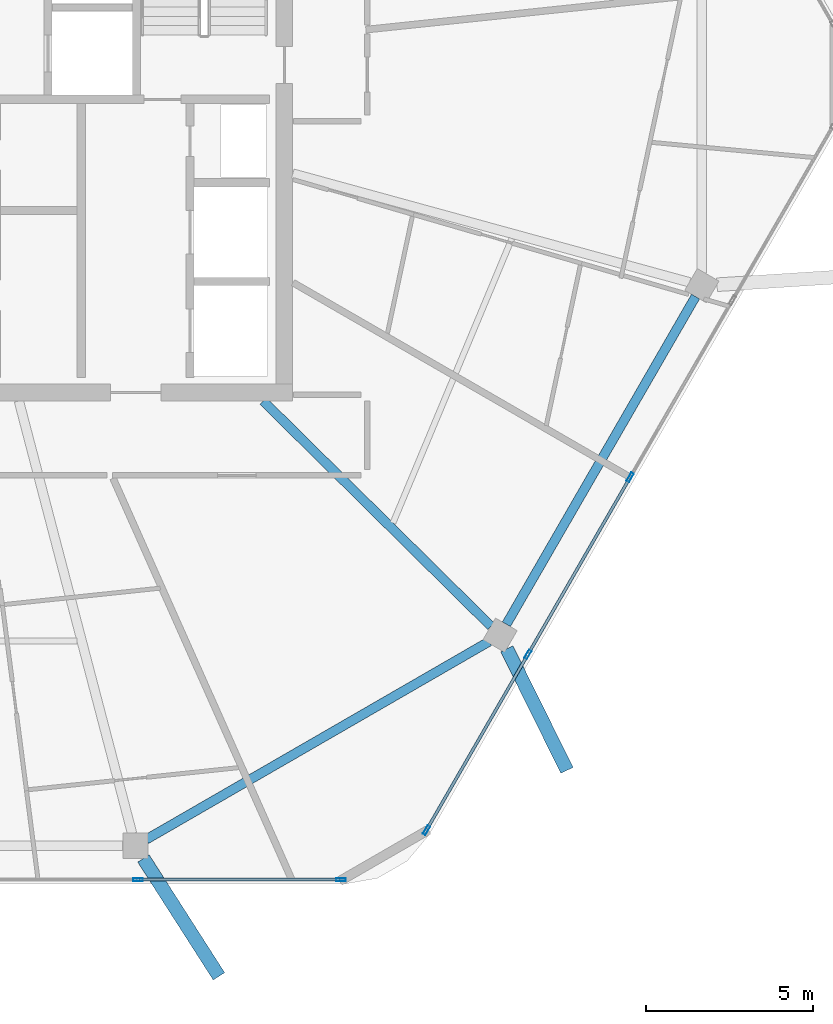
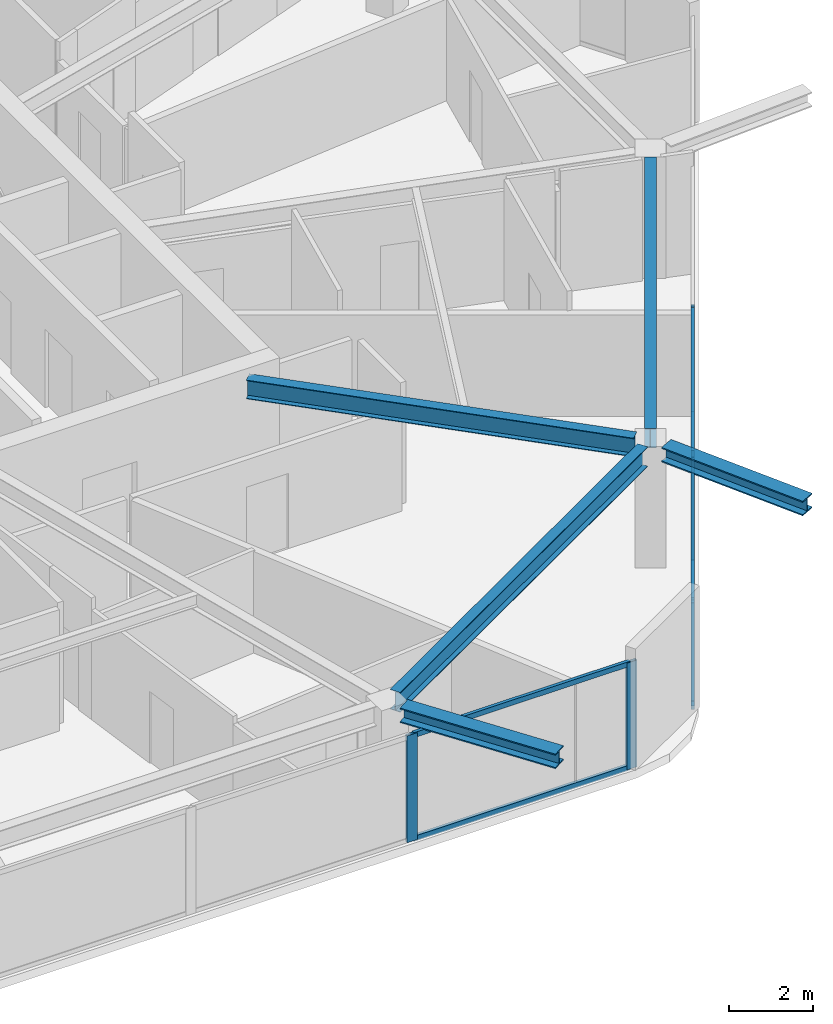
# One storey, part 5 of 18: 11 members, 5 beams, 2 elements without a shape of their own.
"""IFC4 building model written with IfcOpenShell, lengths in metres."""

from ifc_helpers import new_model, si_unit, direction, frame, origin, origin_2d, place, context, subcontext, project, spatial, hollow_rectangle, i_section, extrude, material, material_profile, profile_set, type_object, element, aggregate, save


model = new_model("IFC4")

# Units and contexts
model_context = context("Model", 3, precision=1e-05, world=origin(), true_north=direction((0.0, 1.0)))
body_context = subcontext(model_context, "Body", "Model", "MODEL_VIEW")
ifc_project = project(units=[si_unit("LENGTHUNIT", "METRE"), si_unit("AREAUNIT", "SQUARE_METRE"), si_unit("VOLUMEUNIT", "CUBIC_METRE"), si_unit("PLANEANGLEUNIT", "RADIAN"), si_unit("MASSUNIT", "GRAM", prefix="KILO")], contexts=[model_context])

# Site, building, storey
site_placement = place(None, origin())
site = spatial("IfcSite", under=ifc_project, at=site_placement, CompositionType="ELEMENT")
building_placement = place(site_placement, origin())
building = spatial("IfcBuilding", under=site, at=building_placement, Name="Zuhravey Tower", CompositionType="ELEMENT")
storey_placement = place(building_placement, frame((0.0, 0.0, 342.39990234375)))
storey = spatial("IfcBuildingStorey", under=building, at=storey_placement, Name="L87", CompositionType="ELEMENT", Elevation=342.39990234375)

# Curtain wall, members
ifc_material_1 = material(Name="Thermally broken anodised aluminium", Category="aluminium")
curtain_wall_type = type_object("IfcCurtainWallType", Name="Zone 3-4 High-Rise Curtain Wall CW4", PredefinedType="NOTDEFINED", material=ifc_material_1)
curtain_wall_1_placement = place(storey_placement, origin())
curtain_wall_1 = element("IfcCurtainWall", 1, at=curtain_wall_1_placement, inside=storey, type_object=curtain_wall_type, Name="L87 CW4 CW-L87-F6-1", PredefinedType="NOTDEFINED")
ifc_material_2 = material(Name="Anodised aluminium", Category="aluminium")
ifc_material_profile_1 = material_profile(ifc_material_2, hollow_rectangle(XDim=0.090087890625, YDim=0.284912109375, WallThickness=0.0048828125, at=origin_2d()), Name="ALU-RHS-90x285x5")
ifc_profile_set_1 = profile_set([ifc_material_profile_1], Name="Anodised aluminium")
member_type_1 = type_object("IfcMemberType", Name="Curtain-Wall Mullion 90x180", PredefinedType="MULLION", material=ifc_profile_set_1)
member_1_placement = place(storey_placement, frame((56.8486328125, 19.962890625, 0.0), z_axis=(0.0, 0.0, 1.0), x_axis=(0.866025511541, -0.49999981336, 0.0)))
member_1 = element("IfcMember", 2, at=member_1_placement, type_object=member_type_1, Name="CW4 mullion 3", PredefinedType="MULLION", context=body_context, shape_type="SweptSolid", body=[
    extrude(hollow_rectangle(XDim=0.090087890625, YDim=0.284912109375, WallThickness=0.0048828125, at=origin_2d()), origin(), (0.0, 0.0, 1.0), 3.1220703125),
])
member_2_placement = place(storey_placement, frame((53.788818359375, 14.6630859375, 0.0), z_axis=(0.0, 0.0, 1.0), x_axis=(0.866025511541, -0.49999981336, 0.0)))
member_2 = element("IfcMember", 3, at=member_2_placement, type_object=member_type_1, Name="CW4 mullion 4", PredefinedType="MULLION", context=body_context, shape_type="SweptSolid", body=[
    extrude(hollow_rectangle(XDim=0.090087890625, YDim=0.284912109375, WallThickness=0.0048828125, at=origin_2d()), origin(), (0.0, 0.0, 1.0), 3.1220703125),
])
member_3_placement = place(storey_placement, frame((50.751708984375, 9.40234375, 0.0), z_axis=(0.0, 0.0, 1.0), x_axis=(0.866025511541, -0.49999981336, 0.0)))
member_3 = element("IfcMember", 4, at=member_3_placement, type_object=member_type_1, Name="CW4 mullion 5", PredefinedType="MULLION", context=body_context, shape_type="SweptSolid", body=[
    extrude(hollow_rectangle(XDim=0.090087890625, YDim=0.284912109375, WallThickness=0.0048828125, at=origin_2d()), origin(), (0.0, 0.0, 1.0), 3.1220703125),
])

curtain_wall_2_placement = place(storey_placement, origin())
curtain_wall_2 = element("IfcCurtainWall", 5, at=curtain_wall_2_placement, inside=storey, type_object=curtain_wall_type, Name="L87 CW4 CW-L87-F5-1", PredefinedType="NOTDEFINED")
member_4_placement = place(storey_placement, frame((48.1943359375, 7.92578125, 0.0), z_axis=(0.0, 0.0, 1.0), x_axis=(0.0, -1.0, 0.0)))
member_4 = element("IfcMember", 6, at=member_4_placement, type_object=member_type_1, Name="CW4 mullion 1", PredefinedType="MULLION", context=body_context, shape_type="SweptSolid", body=[
    extrude(hollow_rectangle(XDim=0.090087890625, YDim=0.284912109375, WallThickness=0.0048828125, at=origin_2d()), origin(), (0.0, 0.0, 1.0), 3.1220703125),
])
member_5_placement = place(storey_placement, frame((42.11962890625, 7.92578125, 0.0), z_axis=(0.0, 0.0, 1.0), x_axis=(0.0, -1.0, 0.0)))
member_5 = element("IfcMember", 7, at=member_5_placement, type_object=member_type_1, Name="CW4 mullion 2", PredefinedType="MULLION", context=body_context, shape_type="SweptSolid", body=[
    extrude(hollow_rectangle(XDim=0.090087890625, YDim=0.284912109375, WallThickness=0.0048828125, at=origin_2d()), origin(), (0.0, 0.0, 1.0), 3.1220703125),
])

# Member
ifc_material_profile_2 = material_profile(ifc_material_2, hollow_rectangle(XDim=0.090087890625, YDim=0.14990234375, WallThickness=0.0048828125, at=origin_2d()), Name="ALU-RHS-90x150x5")
ifc_profile_set_2 = profile_set([ifc_material_profile_2], Name="Anodised aluminium")
member_type_2 = type_object("IfcMemberType", Name="Curtain-Wall Transom 90x150", PredefinedType="USERDEFINED", material=ifc_profile_set_2)
member_6_placement = place(storey_placement, frame((56.826171875, 19.924072265625, 0.045166015625), z_axis=(-0.499971305196, -0.866041970103, 0.0), x_axis=(0.866041970103, -0.499971305196, 0.0)))
member_6 = element("IfcMember", 8, at=member_6_placement, type_object=member_type_2, Name="CW4 transom 3.1", ObjectType="TRANSOM", PredefinedType="USERDEFINED", context=body_context, shape_type="SweptSolid", body=[
    extrude(hollow_rectangle(XDim=0.090087890625, YDim=0.14990234375, WallThickness=0.0048828125, at=origin_2d()), origin(), (0.0, 0.0, 1.0), 6.029541015625),
])

member_7_placement = place(storey_placement, frame((56.826171875, 19.924072265625, 3.0771484375), z_axis=(-0.499971305196, -0.866041970103, 0.0), x_axis=(0.866041970103, -0.499971305196, 0.0)))
member_7 = element("IfcMember", 9, at=member_7_placement, type_object=member_type_2, Name="CW4 transom 3.2", ObjectType="TRANSOM", PredefinedType="USERDEFINED", context=body_context, shape_type="SweptSolid", body=[
    extrude(hollow_rectangle(XDim=0.090087890625, YDim=0.14990234375, WallThickness=0.0048828125, at=origin_2d()), origin(), (0.0, 0.0, 1.0), 6.029541015625),
])

member_8_placement = place(storey_placement, frame((53.766357421875, 14.624267578125, 0.045166015625), z_axis=(-0.499982594807, -0.866035452444, 0.0), x_axis=(0.866035452444, -0.499982594807, 0.0)))
member_8 = element("IfcMember", 10, at=member_8_placement, type_object=member_type_2, Name="CW4 transom 4.1", ObjectType="TRANSOM", PredefinedType="USERDEFINED", context=body_context, shape_type="SweptSolid", body=[
    extrude(hollow_rectangle(XDim=0.090087890625, YDim=0.14990234375, WallThickness=0.0048828125, at=origin_2d()), origin(), (0.0, 0.0, 1.0), 5.984619140625),
])

member_9_placement = place(storey_placement, frame((53.766357421875, 14.624267578125, 3.0771484375), z_axis=(-0.499982594807, -0.866035452444, 0.0), x_axis=(0.866035452444, -0.499982594807, 0.0)))
member_9 = element("IfcMember", 11, at=member_9_placement, type_object=member_type_2, Name="CW4 transom 4.2", ObjectType="TRANSOM", PredefinedType="USERDEFINED", context=body_context, shape_type="SweptSolid", body=[
    extrude(hollow_rectangle(XDim=0.090087890625, YDim=0.14990234375, WallThickness=0.0048828125, at=origin_2d()), origin(), (0.0, 0.0, 1.0), 5.984619140625),
])

aggregate(curtain_wall_1, [member_1, member_2, member_3, member_6, member_7, member_8, member_9])

member_10_placement = place(storey_placement, frame((48.1494140625, 7.92578125, 0.045166015625), z_axis=(-1.0, 0.0, 0.0), x_axis=(0.0, -1.0, 0.0)))
member_10 = element("IfcMember", 12, at=member_10_placement, type_object=member_type_2, Name="CW4 transom 1.1", ObjectType="TRANSOM", PredefinedType="USERDEFINED", context=body_context, shape_type="SweptSolid", body=[
    extrude(hollow_rectangle(XDim=0.090087890625, YDim=0.14990234375, WallThickness=0.0048828125, at=origin_2d()), origin(), (0.0, 0.0, 1.0), 5.98486328125),
])

member_11_placement = place(storey_placement, frame((48.1494140625, 7.92578125, 3.0771484375), z_axis=(-1.0, 0.0, 0.0), x_axis=(0.0, -1.0, 0.0)))
member_11 = element("IfcMember", 13, at=member_11_placement, type_object=member_type_2, Name="CW4 transom 1.2", ObjectType="TRANSOM", PredefinedType="USERDEFINED", context=body_context, shape_type="SweptSolid", body=[
    extrude(hollow_rectangle(XDim=0.090087890625, YDim=0.14990234375, WallThickness=0.0048828125, at=origin_2d()), origin(), (0.0, 0.0, 1.0), 5.98486328125),
])

aggregate(curtain_wall_2, [member_4, member_5, member_10, member_11])

# Beams
ifc_material_3 = material(Name="Steel SM460", Category="steel")
ifc_material_profile_3 = material_profile(ifc_material_3, i_section(OverallWidth=0.406982421875, OverallDepth=0.427978515625, WebThickness=0.02001953125, FlangeThickness=0.034912109375, at=origin_2d()), Name="H-428x407x20x35")
ifc_profile_set_3 = profile_set([ifc_material_profile_3], Name="Steel SM460")
beam_type_1 = type_object("IfcBeamType", Name="Exoskeleton Node Tie Beam H428x407", PredefinedType="BEAM", material=ifc_profile_set_3)
beam_1_placement = place(storey_placement, frame((42.281005859375, 8.5576171875, 3.336181640625), z_axis=(0.539376005889, -0.842065035654, 0.0), x_axis=(0.842065035654, 0.539376005889, 0.0)))
element("IfcBeam", 14, at=beam_1_placement, inside=storey, type_object=beam_type_1, Name="L87 Exoskeleton Node Tie NT1-10", PredefinedType="BEAM", context=body_context, shape_type="SweptSolid", body=[
    extrude(i_section(OverallWidth=0.406982421875, OverallDepth=0.427978515625, WebThickness=0.02001953125, FlangeThickness=0.034912109375, at=origin_2d()), origin(), (0.0, 0.0, 1.0), 4.19091796875),
])
beam_2_placement = place(storey_placement, frame((53.15625, 14.830810546875, 3.336181640625), z_axis=(0.443674177623, -0.89618816334, 0.0), x_axis=(0.89618816334, 0.443674177623, 0.0)))
element("IfcBeam", 15, at=beam_2_placement, inside=storey, type_object=beam_type_1, Name="L87 Exoskeleton Node Tie NT1-11", PredefinedType="BEAM", context=body_context, shape_type="SweptSolid", body=[
    extrude(i_section(OverallWidth=0.406982421875, OverallDepth=0.427978515625, WebThickness=0.02001953125, FlangeThickness=0.034912109375, at=origin_2d()), origin(), (0.0, 0.0, 1.0), 4.059814453125),
])
ifc_material_4 = material(Name="Steel SM355", Category="steel")
ifc_material_profile_4 = material_profile(ifc_material_4, i_section(OverallWidth=0.280029296875, OverallDepth=0.580078125, WebThickness=0.011962890625, FlangeThickness=0.01904296875, at=origin_2d()), Name="H-580x280x12x19")
ifc_profile_set_4 = profile_set([ifc_material_profile_4], Name="Steel SM355")
beam_type_2 = type_object("IfcBeamType", Name="Perimeter Ring Beam H580x280", PredefinedType="BEAM", material=ifc_profile_set_4)
beam_3_placement = place(storey_placement, frame((42.365966796875, 9.125, 3.260009765625), z_axis=(0.866030838723, 0.499990586292, 0.0), x_axis=(-0.499990586292, 0.866030838723, 0.0)))
element("IfcBeam", 16, at=beam_3_placement, inside=storey, type_object=beam_type_2, Name="L87 PB4 BM-L87-PB-10", PredefinedType="BEAM", context=body_context, shape_type="SweptSolid", body=[
    extrude(i_section(OverallWidth=0.280029296875, OverallDepth=0.580078125, WebThickness=0.011962890625, FlangeThickness=0.01904296875, at=origin_2d()), origin(), (0.0, 0.0, 1.0), 11.848876953125),
])
beam_4_placement = place(storey_placement, frame((53.143798828125, 15.565673828125, 3.260009765625), z_axis=(0.499993743963, 0.866029015679, 0.0), x_axis=(-0.866029015679, 0.499993743963, 0.0)))
element("IfcBeam", 17, at=beam_4_placement, inside=storey, type_object=beam_type_2, Name="L87 PB4 BM-L87-PB-11", PredefinedType="BEAM", context=body_context, shape_type="SweptSolid", body=[
    extrude(i_section(OverallWidth=0.280029296875, OverallDepth=0.580078125, WebThickness=0.011962890625, FlangeThickness=0.01904296875, at=origin_2d()), origin(), (0.0, 0.0, 1.0), 11.321533203125),
])
ifc_material_profile_5 = material_profile(ifc_material_4, i_section(OverallWidth=0.280029296875, OverallDepth=0.550048828125, WebThickness=0.010986328125, FlangeThickness=0.01806640625, at=origin_2d()), Name="H-550x280x11x18")
ifc_profile_set_5 = profile_set([ifc_material_profile_5], Name="Steel SM355")
beam_type_3 = type_object("IfcBeamType", Name="Radial Primary Girder H550x280", PredefinedType="BEAM", material=ifc_profile_set_5)
beam_5_placement = place(storey_placement, frame((45.865234375, 22.2470703125, 3.275146484375), z_axis=(0.711142578304, -0.703047817238, 0.0), x_axis=(0.703047817238, 0.711142578304, 0.0)))
element("IfcBeam", 18, at=beam_5_placement, inside=storey, type_object=beam_type_3, Name="L87 RG4 BM-L87-RAD-11", PredefinedType="BEAM", context=body_context, shape_type="SweptSolid", body=[
    extrude(i_section(OverallWidth=0.280029296875, OverallDepth=0.550048828125, WebThickness=0.010986328125, FlangeThickness=0.01806640625, at=origin_2d()), origin(), (0.0, 0.0, 1.0), 9.591064453125),
])

save(model, "model.ifc")
